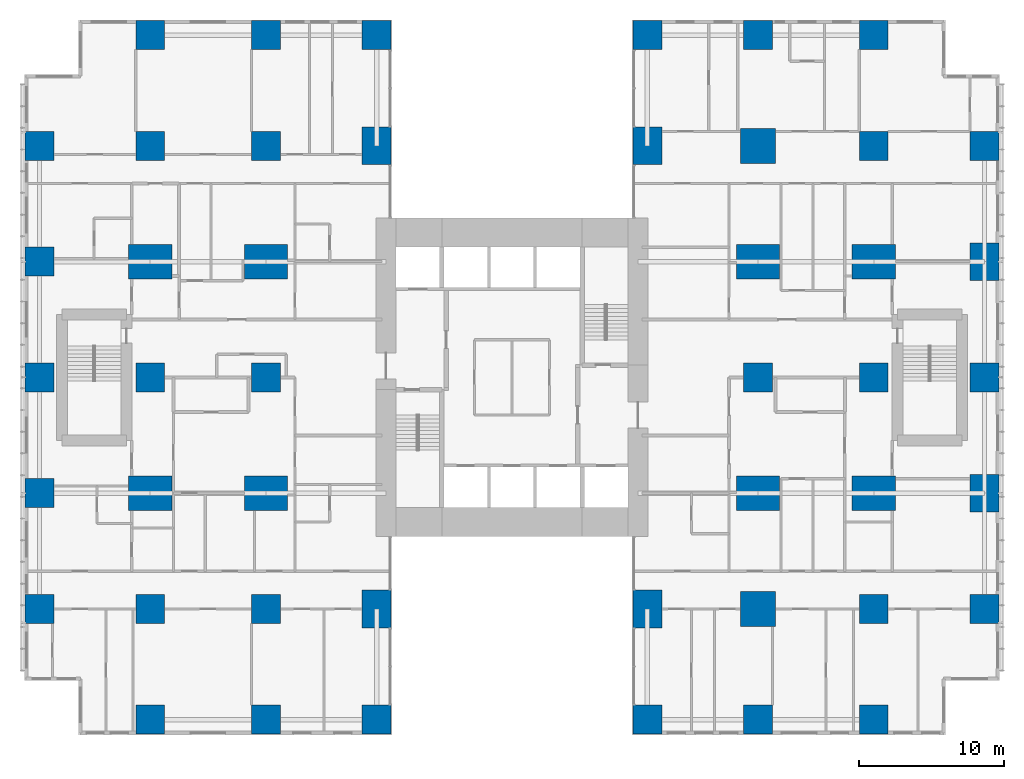
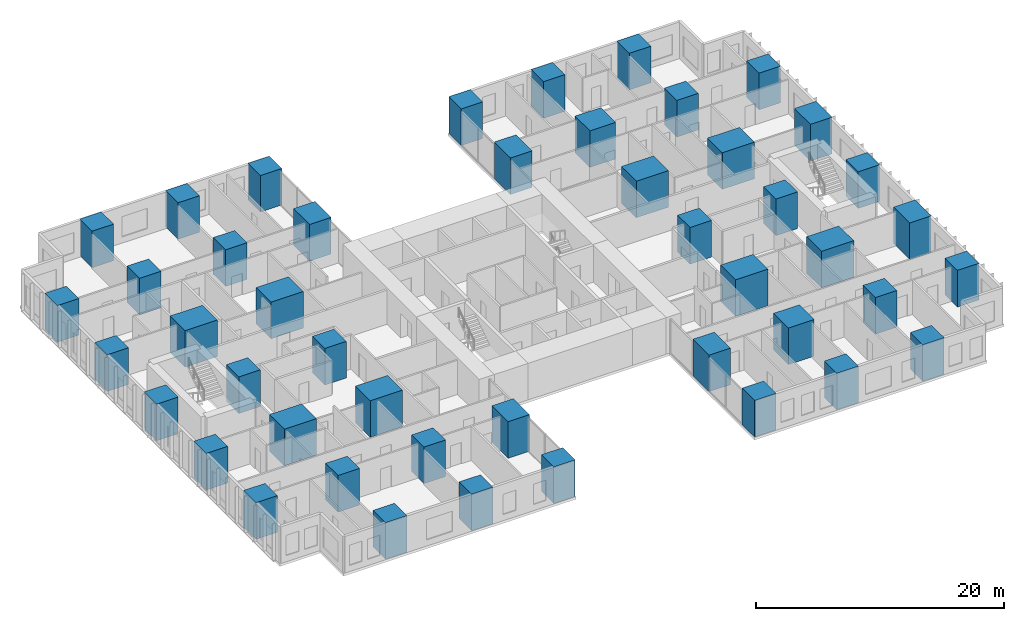
# One storey, part 1 of 20: 46 columns.
"""IFC4 building model written with IfcOpenShell, lengths in metres."""

from ifc_helpers import new_model, si_unit, direction, frame, origin, origin_2d, place, context, subcontext, project, spatial, rectangle, extrude, material, material_profile, profile_set, type_object, element, save


model = new_model("IFC4")

# Units and contexts
model_context = context("Model", 3, precision=1e-05, world=origin(), true_north=direction((0.0, 1.0)))
body_context = subcontext(model_context, "Body", "Model", "MODEL_VIEW")
ifc_project = project(units=[si_unit("LENGTHUNIT", "METRE"), si_unit("AREAUNIT", "SQUARE_METRE"), si_unit("VOLUMEUNIT", "CUBIC_METRE"), si_unit("PLANEANGLEUNIT", "RADIAN"), si_unit("MASSUNIT", "GRAM", prefix="KILO")], contexts=[model_context])

# Site, building, storey
site_placement = place(None, origin())
site = spatial("IfcSite", under=ifc_project, at=site_placement, CompositionType="ELEMENT")
building_placement = place(site_placement, origin())
building = spatial("IfcBuilding", under=site, at=building_placement, Name="Cleftline Residences", CompositionType="ELEMENT")
storey_placement = place(building_placement, frame((0.0, 0.0, 83.60009765625)))
storey = spatial("IfcBuildingStorey", under=building, at=storey_placement, Name="L21", CompositionType="ELEMENT", Elevation=83.60009765625)

# Columns
ifc_material_1 = material(Name="Concrete B70", Category="concrete")
ifc_material_profile_1 = material_profile(ifc_material_1, rectangle(XDim=2.0, YDim=2.0, at=origin_2d()))
ifc_profile_set_1 = profile_set([ifc_material_profile_1], Name="Concrete B70")
column_type_1 = type_object("IfcColumnType", Name="COLUMN RC2000X2000", PredefinedType="COLUMN", material=ifc_profile_set_1)
for number, where, z_axis, x_axis, name in (
    (1, (0.35009765625, 8.0, 0.0), (0.0, 0.0, 1.0), (1.0, 0.0, 0.0), "Column D/3"),
    (2, (0.35009765625, 16.0, 0.0), (0.0, 0.0, 1.0), (1.0, 0.0, 0.0), "Column E/3"),
    (3, (0.35009765625, 24.0, 0.0), (0.0, 0.0, 1.0), (1.0, 0.0, 0.0), "Column F/3"),
    (4, (0.35009765625, 32.0, 0.0), (0.0, 0.0, 1.0), (1.0, 0.0, 0.0), "Column G/3"),
    (5, (0.35009765625, 40.0, 0.0), (0.0, 0.0, 1.0), (1.0, 0.0, 0.0), "Column H/3"),
    (6, (8.0, 0.35009765625, 0.0), (0.0, 0.0, 1.0), (1.0, 0.0, 0.0), "Column C/4"),
    (7, (8.0, 8.0, 0.0), (0.0, 0.0, 1.0), (1.0, 0.0, 0.0), "Column D/4"),
    (8, (8.0, 24.0, 0.0), (0.0, 0.0, 1.0), (1.0, 0.0, 0.0), "Column F/4"),
    (9, (8.0, 40.0, 0.0), (0.0, 0.0, 1.0), (1.0, 0.0, 0.0), "Column H/4"),
    (10, (8.0, 47.64990234375, 0.0), (0.0, 0.0, 1.0), (1.0, 0.0, 0.0), "Column J/4"),
    (11, (16.0, 0.35009765625, 0.0), (0.0, 0.0, 1.0), (1.0, 0.0, 0.0), "Column C/5"),
    (12, (16.0, 8.0, 0.0), (0.0, 0.0, 1.0), (1.0, 0.0, 0.0), "Column D/5"),
    (13, (16.0, 24.0, 0.0), (0.0, 0.0, 1.0), (1.0, 0.0, 0.0), "Column F/5"),
    (14, (16.0, 40.0, 0.0), (0.0, 0.0, 1.0), (1.0, 0.0, 0.0), "Column H/5"),
    (15, (16.0, 47.64990234375, 0.0), (0.0, 0.0, 1.0), (1.0, 0.0, 0.0), "Column J/5"),
    (16, (23.64990234375, 0.35009765625, 0.0), (0.0, 0.0, 1.0), (1.0, 0.0, 0.0), "Column C/6"),
    (17, (23.64990234375, 47.64990234375, 0.0), (0.0, 0.0, 1.0), (1.0, 0.0, 0.0), "Column J/6"),
    (18, (42.35009765625, 0.35009765625, 0.0), (0.0, 0.0, 1.0), (1.0, 0.0, 0.0), "Column C/8"),
    (19, (42.35009765625, 47.64990234375, 0.0), (0.0, 0.0, 1.0), (1.0, 0.0, 0.0), "Column J/8"),
    (20, (50.0, 0.35009765625, 0.0), (0.0, 0.0, 1.0), (1.0, 0.0, 0.0), "Column C/9"),
    (21, (50.0, 24.0, 0.0), (0.0, 0.0, 1.0), (1.0, 0.0, 0.0), "Column F/9"),
    (22, (50.0, 47.64990234375, 0.0), (0.0, 0.0, 1.0), (1.0, 0.0, 0.0), "Column J/9"),
    (23, (58.0, 0.35009765625, 0.0), (0.0, 0.0, 1.0), (1.0, 0.0, 0.0), "Column C/10"),
    (24, (58.0, 8.0, 0.0), (0.0, 0.0, 1.0), (1.0, 0.0, 0.0), "Column D/10"),
    (25, (58.0, 24.0, 0.0), (0.0, 0.0, 1.0), (1.0, 0.0, 0.0), "Column F/10"),
    (26, (58.0, 40.0, 0.0), (0.0, 0.0, 1.0), (1.0, 0.0, 0.0), "Column H/10"),
    (27, (58.0, 47.64990234375, 0.0), (0.0, 0.0, 1.0), (1.0, 0.0, 0.0), "Column J/10"),
    (28, (65.64990234375, 8.0, 0.0), (0.0, 0.0, 1.0), (1.0, 0.0, 0.0), "Column D/11"),
    (29, (65.64990234375, 24.0, 0.0), (0.0, 0.0, 1.0), (1.0, 0.0, 0.0), "Column F/11"),
    (30, (65.64990234375, 40.0, 0.0), (0.0, 0.0, 1.0), (1.0, 0.0, 0.0), "Column H/11"),
):
    element("IfcColumn", number, at=place(storey_placement, frame(where, z_axis=z_axis, x_axis=x_axis)), inside=storey, type_object=column_type_1, Name=name, PredefinedType="COLUMN", context=body_context, shape_type="SweptSolid", body=[
        extrude(rectangle(XDim=2.0, YDim=2.0, at=origin_2d()), origin(), (0.0, 0.0, 1.0), 3.599853515625),
    ])
ifc_material_2 = material(Name="Concrete B70", Category="concrete")
ifc_material_profile_2 = material_profile(ifc_material_2, rectangle(XDim=2.0, YDim=2.60009765625, at=origin_2d()))
ifc_profile_set_2 = profile_set([ifc_material_profile_2], Name="Concrete B70")
column_type_2 = type_object("IfcColumnType", Name="COLUMN RC2000X2600", PredefinedType="COLUMN", material=ifc_profile_set_2)
for number, where, z_axis, x_axis, name in (
    (31, (23.64990234375, 8.0, 0.0), (0.0, 0.0, 1.0), (1.0, 0.0, 0.0), "Column D/6"),
    (32, (23.64990234375, 40.0, 0.0), (0.0, 0.0, 1.0), (1.0, 0.0, 0.0), "Column H/6"),
    (33, (42.35009765625, 8.0, 0.0), (0.0, 0.0, 1.0), (1.0, 0.0, 0.0), "Column D/8"),
    (34, (42.35009765625, 40.0, 0.0), (0.0, 0.0, 1.0), (1.0, 0.0, 0.0), "Column H/8"),
):
    element("IfcColumn", number, at=place(storey_placement, frame(where, z_axis=z_axis, x_axis=x_axis)), inside=storey, type_object=column_type_2, Name=name, PredefinedType="COLUMN", context=body_context, shape_type="SweptSolid", body=[
        extrude(rectangle(XDim=2.0, YDim=2.60009765625, at=origin_2d()), origin(), (0.0, 0.0, 1.0), 3.599853515625),
    ])
ifc_material_3 = material(Name="Concrete B70", Category="concrete")
ifc_material_profile_3 = material_profile(ifc_material_3, rectangle(XDim=2.39990234375, YDim=2.39990234375, at=origin_2d()))
ifc_profile_set_3 = profile_set([ifc_material_profile_3], Name="Concrete B70")
column_type_3 = type_object("IfcColumnType", Name="COLUMN RC2400X2400", PredefinedType="COLUMN", material=ifc_profile_set_3)
for number, where, z_axis, x_axis, name in (
    (35, (50.0, 8.0, 0.0), (0.0, 0.0, 1.0), (1.0, 0.0, 0.0), "Column D/9"),
    (36, (50.0, 40.0, 0.0), (0.0, 0.0, 1.0), (1.0, 0.0, 0.0), "Column H/9"),
):
    element("IfcColumn", number, at=place(storey_placement, frame(where, z_axis=z_axis, x_axis=x_axis)), inside=storey, type_object=column_type_3, Name=name, PredefinedType="COLUMN", context=body_context, shape_type="SweptSolid", body=[
        extrude(rectangle(XDim=2.39990234375, YDim=2.39990234375, at=origin_2d()), origin(), (0.0, 0.0, 1.0), 3.599853515625),
    ])
ifc_material_4 = material(Name="Concrete B70", Category="concrete")
ifc_material_profile_4 = material_profile(ifc_material_4, rectangle(XDim=2.60009765625, YDim=2.0, at=origin_2d()))
ifc_profile_set_4 = profile_set([ifc_material_profile_4], Name="Concrete B70")
column_type_4 = type_object("IfcColumnType", Name="COLUMN RC2600X2000", PredefinedType="COLUMN", material=ifc_profile_set_4)
for number, where, z_axis, x_axis, name in (
    (37, (65.64990234375, 16.0, 0.0), (0.0, 0.0, 1.0), (0.0, 1.0, 0.0), "Column E/11"),
    (38, (65.64990234375, 32.0, 0.0), (0.0, 0.0, 1.0), (0.0, 1.0, 0.0), "Column G/11"),
):
    element("IfcColumn", number, at=place(storey_placement, frame(where, z_axis=z_axis, x_axis=x_axis)), inside=storey, type_object=column_type_4, Name=name, PredefinedType="COLUMN", context=body_context, shape_type="SweptSolid", body=[
        extrude(rectangle(XDim=2.60009765625, YDim=2.0, at=origin_2d()), origin(), (0.0, 0.0, 1.0), 3.599853515625),
    ])
ifc_material_5 = material(Name="Concrete B70", Category="concrete")
ifc_material_profile_5 = material_profile(ifc_material_5, rectangle(XDim=3.0, YDim=2.39990234375, at=origin_2d()))
ifc_profile_set_5 = profile_set([ifc_material_profile_5], Name="Concrete B70")
column_type_5 = type_object("IfcColumnType", Name="COLUMN RC3000X2400", PredefinedType="COLUMN", material=ifc_profile_set_5)
for number, where, z_axis, x_axis, name in (
    (39, (8.0, 16.0, 0.0), (0.0, 0.0, 1.0), (1.0, 0.0, 0.0), "Column E/4"),
    (40, (8.0, 32.0, 0.0), (0.0, 0.0, 1.0), (1.0, 0.0, 0.0), "Column G/4"),
    (41, (16.0, 16.0, 0.0), (0.0, 0.0, 1.0), (1.0, 0.0, 0.0), "Column E/5"),
    (42, (16.0, 32.0, 0.0), (0.0, 0.0, 1.0), (1.0, 0.0, 0.0), "Column G/5"),
    (43, (50.0, 16.0, 0.0), (0.0, 0.0, 1.0), (1.0, 0.0, 0.0), "Column E/9"),
    (44, (50.0, 32.0, 0.0), (0.0, 0.0, 1.0), (1.0, 0.0, 0.0), "Column G/9"),
    (45, (58.0, 16.0, 0.0), (0.0, 0.0, 1.0), (1.0, 0.0, 0.0), "Column E/10"),
    (46, (58.0, 32.0, 0.0), (0.0, 0.0, 1.0), (1.0, 0.0, 0.0), "Column G/10"),
):
    element("IfcColumn", number, at=place(storey_placement, frame(where, z_axis=z_axis, x_axis=x_axis)), inside=storey, type_object=column_type_5, Name=name, PredefinedType="COLUMN", context=body_context, shape_type="SweptSolid", body=[
        extrude(rectangle(XDim=3.0, YDim=2.39990234375, at=origin_2d()), origin(), (0.0, 0.0, 1.0), 3.599853515625),
    ])

save(model, "model.ifc")
